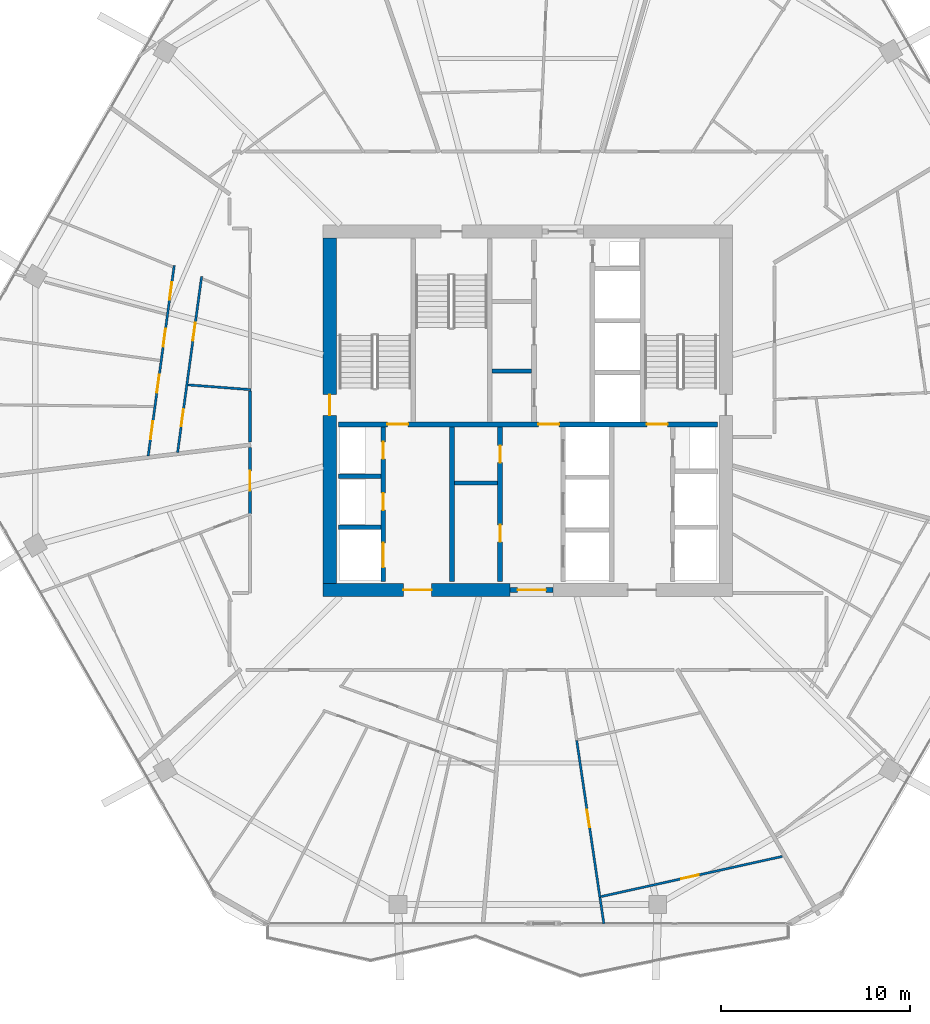
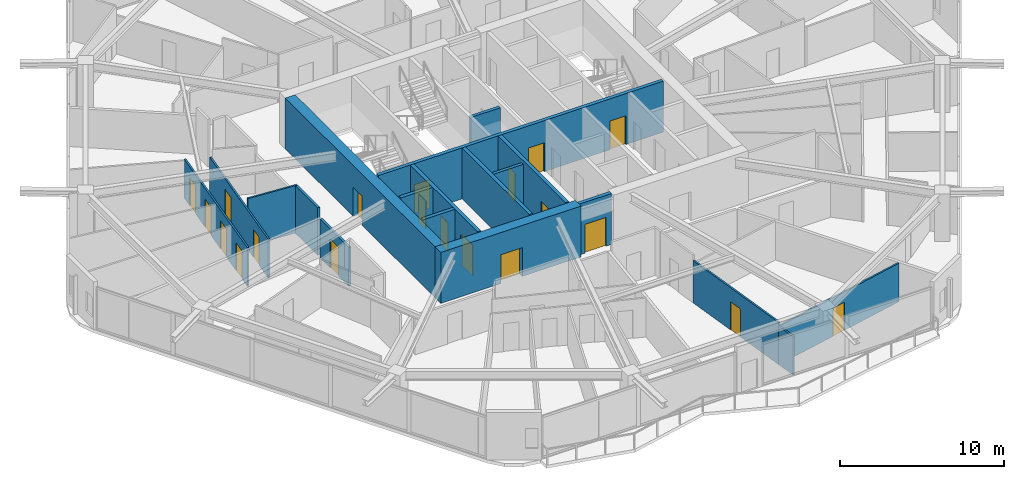
# One storey, part 19 of 25: 20 doors, 19 walls, 20 openings.
"""IFC4 building model written with IfcOpenShell, lengths in metres."""

from ifc_helpers import new_model, si_unit, direction, frame, frame_2d, origin, place, context, subcontext, project, spatial, rectangle, extrude, material, layer, layer_set, type_object, element, fill, save


model = new_model("IFC4")

# Units and contexts
model_context = context("Model", 3, precision=1e-05, world=origin(), true_north=direction((0.0, 1.0)))
body_context = subcontext(model_context, "Body", "Model", "MODEL_VIEW")
ifc_project = project(units=[si_unit("LENGTHUNIT", "METRE"), si_unit("AREAUNIT", "SQUARE_METRE"), si_unit("VOLUMEUNIT", "CUBIC_METRE"), si_unit("PLANEANGLEUNIT", "RADIAN"), si_unit("MASSUNIT", "GRAM", prefix="KILO")], contexts=[model_context])

# Site, building, storey
site_placement = place(None, origin())
site = spatial("IfcSite", under=ifc_project, at=site_placement, CompositionType="ELEMENT")
building_placement = place(site_placement, origin())
building = spatial("IfcBuilding", under=site, at=building_placement, Name="Zuhravey Tower", CompositionType="ELEMENT")
storey_placement = place(building_placement, frame((0.0, 0.0, 196.0)))
storey = spatial("IfcBuildingStorey", under=building, at=storey_placement, Name="L49", CompositionType="ELEMENT", Elevation=196.0)

# Wall, opening, door
ifc_material_1 = material(Name="Concrete C60/75", Category="concrete")
ifc_layer_1 = layer(ifc_material_1, 0.699951171875)
ifc_layer_set_1 = layer_set([ifc_layer_1], Name="Concrete C60/75")
wall_type_1 = type_object("IfcWallType", Name="Core Shear Wall 700", PredefinedType="SHEAR", material=ifc_layer_set_1)
wall_1_placement = place(storey_placement, frame((25.14990234375, 22.5, 0.0), z_axis=(0.0, 0.0, 1.0), x_axis=(1.0, 0.0, 0.0)))
wall_1 = element("IfcWall", 1, at=wall_1_placement, inside=storey, type_object=wall_type_1, Name="L49 South-West Core Shear Wall CW70", PredefinedType="SHEAR", context=body_context, shape_type="SweptSolid", body=[
    extrude(rectangle(XDim=9.900146484375, YDim=0.699951171875, at=frame_2d((4.9501953125, 0.0))), origin(), (0.0, 0.0, 1.0), 3.800048828125),
])
opening_1_placement = place(wall_1_placement, frame((4.25, 0.0, 0.0)))
opening_1 = element("IfcOpeningElement", 2, at=opening_1_placement, cuts=wall_1, Name="Opening FFD1", PredefinedType="OPENING", context=body_context, shape_type="SweptSolid", body=[
    extrude(rectangle(XDim=1.5, YDim=2.14990234375, at=frame_2d((0.75, 1.074951171875))), frame((0.0, 0.362060546875, 0.0), z_axis=(0.0, -1.0, 0.0), x_axis=(1.0, 0.0, 0.0)), (0.0, 0.0, 1.0), 0.723876953125),
])
ifc_material_2 = material(Name="Galvanised fire-rated steel leaf", Category="steel")
door_type_1 = type_object("IfcDoorType", Name="Firefighting Lobby Double Door 1500x2150", OperationType="DOUBLE_DOOR_SINGLE_SWING", PredefinedType="DOOR", material=ifc_material_2)
door_1_placement = place(opening_1_placement, origin())
door_1 = element("IfcDoor", 3, at=door_1_placement, inside=storey, type_object=door_type_1, Name="L49 Firefighting Lobby West Door", OperationType="DOUBLE_DOOR_SINGLE_SWING", OverallHeight=2.14990234375, OverallWidth=1.5, PredefinedType="DOOR", context=body_context, shape_type="SweptSolid", body=[
    extrude(rectangle(XDim=1.5, YDim=2.14990234375, at=frame_2d((0.75, 1.074951171875))), frame((0.0, 0.02490234375, 0.0), z_axis=(0.0, -1.0, 0.0), x_axis=(1.0, 0.0, 0.0)), (0.0, 0.0, 1.0), 0.050048828125),
])
fill(opening_1, door_1)

wall_2_placement = place(storey_placement, frame((25.5, 22.85009765625, 0.0), z_axis=(0.0, 0.0, 1.0), x_axis=(0.0, 1.0, 0.0)))
wall_2 = element("IfcWall", 4, at=wall_2_placement, inside=storey, type_object=wall_type_1, Name="L49 West Core Shear Wall CW70", PredefinedType="SHEAR", context=body_context, shape_type="SweptSolid", body=[
    extrude(rectangle(XDim=18.2998046875, YDim=0.699951171875, at=frame_2d((9.14990234375, 0.0))), origin(), (0.0, 0.0, 1.0), 3.800048828125),
])
opening_2_placement = place(wall_2_placement, frame((8.89990234375, 0.0, 0.0)))
opening_2 = element("IfcOpeningElement", 5, at=opening_2_placement, cuts=wall_2, Name="Opening STD1", PredefinedType="OPENING", context=body_context, shape_type="SweptSolid", body=[
    extrude(rectangle(XDim=1.10009765625, YDim=2.14990234375, at=frame_2d((0.550048828125, 1.074951171875))), frame((0.0, 0.362060546875, 0.0), z_axis=(0.0, -1.0, 0.0), x_axis=(1.0, 0.0, 0.0)), (0.0, 0.0, 1.0), 0.723876953125),
])
door_type_2 = type_object("IfcDoorType", Name="Protected Stair Fire Door 1100x2150", OperationType="NOTDEFINED", PredefinedType="USERDEFINED", material=ifc_material_2)
door_2_placement = place(opening_2_placement, frame((1.10009765625, 0.0, 0.0), z_axis=(0.0, 0.0, 1.0), x_axis=(-1.0, 0.0, 0.0)))
door_2 = element("IfcDoor", 6, at=door_2_placement, inside=storey, type_object=door_type_2, Name="L49 Stair ST1 Door", ObjectType="EXITDOOR", OperationType="SINGLE_SWING_RIGHT", OverallHeight=2.14990234375, OverallWidth=1.10009765625, PredefinedType="USERDEFINED", context=body_context, shape_type="SweptSolid", body=[
    extrude(rectangle(XDim=1.10009765625, YDim=2.14990234375, at=frame_2d((0.550048828125, 1.074951171875))), frame((0.0, 0.02490234375, 0.0), z_axis=(0.0, -1.0, 0.0), x_axis=(1.0, 0.0, 0.0)), (0.0, 0.0, 1.0), 0.050048828125),
])
fill(opening_2, door_2)

ifc_material_3 = material(Name="Gypsum fire-rated stud partition")
ifc_layer_2 = layer(ifc_material_3, 0.159912109375)
ifc_layer_set_2 = layer_set([ifc_layer_2], Name="Gypsum fire-rated stud partition")
wall_type_2 = type_object("IfcWallType", Name="Corridor Fire Partition 160", PredefinedType="PARTITIONING", material=ifc_layer_set_2)
wall_3_placement = place(storey_placement, frame((21.27001953125, 30.04052734375, 0.0), z_axis=(0.0, 0.0, 1.0), x_axis=(0.0, -1.0, 0.0)))
wall_3 = element("IfcWall", 7, at=wall_3_placement, inside=storey, type_object=wall_type_2, Name="L49 IW16 Partition 039", PredefinedType="PARTITIONING", context=body_context, shape_type="SweptSolid", body=[
    extrude(rectangle(XDim=3.503173828125, YDim=0.159912109375, at=frame_2d((1.75146484375, 0.0))), origin(), (0.0, 0.0, 1.0), 2.89990234375),
])
opening_3_placement = place(wall_3_placement, frame((1.2265625, 0.0, 0.0)))
opening_3 = element("IfcOpeningElement", 8, at=opening_3_placement, cuts=wall_3, Name="Opening APD1", PredefinedType="OPENING", context=body_context, shape_type="SweptSolid", body=[
    extrude(rectangle(XDim=1.050048828125, YDim=2.14990234375, at=frame_2d((0.52490234375, 1.074951171875))), frame((0.0, 0.092041015625, 0.0), z_axis=(0.0, -1.0, 0.0), x_axis=(1.0, 0.0, 0.0)), (0.0, 0.0, 1.0), 0.183837890625),
])
ifc_material_4 = material(Name="Solid-core oak fire-rated leaf")
door_type_3 = type_object("IfcDoorType", Name="Apartment Entrance Fire Door 1050x2150", OperationType="NOTDEFINED", PredefinedType="DOOR", material=ifc_material_4)
door_3_placement = place(opening_3_placement, frame((1.050048828125, 0.0, 0.0), z_axis=(0.0, 0.0, 1.0), x_axis=(-1.0, 0.0, 0.0)))
door_3 = element("IfcDoor", 9, at=door_3_placement, inside=storey, type_object=door_type_3, Name="L49 Door 039.1", OperationType="SINGLE_SWING_RIGHT", OverallHeight=2.14990234375, OverallWidth=1.050048828125, PredefinedType="DOOR", context=body_context, shape_type="SweptSolid", body=[
    extrude(rectangle(XDim=1.050048828125, YDim=2.14990234375, at=frame_2d((0.52490234375, 1.074951171875))), frame((0.0, 0.02490234375, 0.0), z_axis=(0.0, -1.0, 0.0), x_axis=(1.0, 0.0, 0.0)), (0.0, 0.0, 1.0), 0.050048828125),
])
fill(opening_3, door_3)

# Wall
wall_4_placement = place(storey_placement, frame((21.27001953125, 33.052978515625, 0.0), z_axis=(0.0, 0.0, 1.0), x_axis=(0.0, -1.0, 0.0)))
element("IfcWall", 10, at=wall_4_placement, inside=storey, type_object=wall_type_2, Name="L49 IW16 Partition 128", PredefinedType="PARTITIONING", context=body_context, shape_type="SweptSolid", body=[
    extrude(rectangle(XDim=2.711181640625, YDim=0.159912109375, at=frame_2d((1.35546875, 0.0))), origin(), (0.0, 0.0, 1.0), 3.550048828125),
])

# Wall, opening, door
ifc_material_5 = material(Name="Concrete C50/60", Category="concrete")
ifc_layer_3 = layer(ifc_material_5, 0.25)
ifc_layer_set_3 = layer_set([ifc_layer_3], Name="Concrete C50/60")
wall_type_3 = type_object("IfcWallType", Name="Firefighting Shaft & Stair Wall 250", PredefinedType="SOLIDWALL", material=ifc_layer_set_3)
wall_5_placement = place(storey_placement, frame((35.06005859375, 22.5, 0.0), z_axis=(0.0, 0.0, 1.0), x_axis=(1.0, 0.0, 0.0)))
wall_5 = element("IfcWall", 11, at=wall_5_placement, inside=storey, type_object=wall_type_3, Name="L49 FW25 Shaft Wall 001", PredefinedType="SOLIDWALL", context=body_context, shape_type="SweptSolid", body=[
    extrude(rectangle(XDim=2.280029296875, YDim=0.25, at=frame_2d((1.14013671875, 0.0))), origin(), (0.0, 0.0, 1.0), 3.800048828125),
])
opening_4_placement = place(wall_5_placement, frame((0.389892578125, 0.0, 0.0)))
opening_4 = element("IfcOpeningElement", 12, at=opening_4_placement, cuts=wall_5, Name="Opening FFD1", PredefinedType="OPENING", context=body_context, shape_type="SweptSolid", body=[
    extrude(rectangle(XDim=1.5, YDim=2.14990234375, at=frame_2d((0.75, 1.074951171875))), frame((0.0, 0.136962890625, 0.0), z_axis=(0.0, -1.0, 0.0), x_axis=(1.0, 0.0, 0.0)), (0.0, 0.0, 1.0), 0.27392578125),
])
door_4_placement = place(opening_4_placement, frame((1.5, 0.0, 0.0), z_axis=(0.0, 0.0, 1.0), x_axis=(-1.0, 0.0, 0.0)))
door_4 = element("IfcDoor", 13, at=door_4_placement, inside=storey, type_object=door_type_1, Name="L49 South Lift Lobby Exit Door", OperationType="DOUBLE_DOOR_SINGLE_SWING", OverallHeight=2.14990234375, OverallWidth=1.5, PredefinedType="DOOR", context=body_context, shape_type="SweptSolid", body=[
    extrude(rectangle(XDim=1.5, YDim=2.14990234375, at=frame_2d((0.75, 1.074951171875))), frame((0.0, 0.02490234375, 0.0), z_axis=(0.0, -1.0, 0.0), x_axis=(1.0, 0.0, 0.0)), (0.0, 0.0, 1.0), 0.050048828125),
])
fill(opening_4, door_4)

# Wall, openings, doors
wall_6_placement = place(storey_placement, frame((25.949951171875, 31.27490234375, 0.0), z_axis=(0.0, 0.0, 1.0), x_axis=(1.0, 0.0, 0.0)))
wall_6 = element("IfcWall", 14, at=wall_6_placement, inside=storey, type_object=wall_type_3, Name="L49 FW25 Shaft Wall 003", PredefinedType="SOLIDWALL", context=body_context, shape_type="SweptSolid", body=[
    extrude(rectangle(XDim=20.10009765625, YDim=0.25, at=frame_2d((10.050048828125, 0.0))), origin(), (0.0, 0.0, 1.0), 3.800048828125),
])
opening_5_placement = place(wall_6_placement, frame((2.60009765625, 0.0, 0.0)))
opening_5 = element("IfcOpeningElement", 15, at=opening_5_placement, cuts=wall_6, Name="Opening STD1", PredefinedType="OPENING", context=body_context, shape_type="SweptSolid", body=[
    extrude(rectangle(XDim=1.10009765625, YDim=2.14990234375, at=frame_2d((0.550048828125, 1.074951171875))), frame((0.0, 0.136962890625, 0.0), z_axis=(0.0, -1.0, 0.0), x_axis=(1.0, 0.0, 0.0)), (0.0, 0.0, 1.0), 0.27392578125),
])
opening_6_placement = place(wall_6_placement, frame((10.60009765625, 0.0, 0.0)))
opening_6 = element("IfcOpeningElement", 16, at=opening_6_placement, cuts=wall_6, Name="Opening STD1", PredefinedType="OPENING", context=body_context, shape_type="SweptSolid", body=[
    extrude(rectangle(XDim=1.10009765625, YDim=2.14990234375, at=frame_2d((0.550048828125, 1.074951171875))), frame((0.0, 0.136962890625, 0.0), z_axis=(0.0, -1.0, 0.0), x_axis=(1.0, 0.0, 0.0)), (0.0, 0.0, 1.0), 0.27392578125),
])
opening_7_placement = place(wall_6_placement, frame((16.35009765625, 0.0, 0.0)))
opening_7 = element("IfcOpeningElement", 17, at=opening_7_placement, cuts=wall_6, Name="Opening STD1", PredefinedType="OPENING", context=body_context, shape_type="SweptSolid", body=[
    extrude(rectangle(XDim=1.10009765625, YDim=2.14990234375, at=frame_2d((0.550048828125, 1.074951171875))), frame((0.0, 0.136962890625, 0.0), z_axis=(0.0, -1.0, 0.0), x_axis=(1.0, 0.0, 0.0)), (0.0, 0.0, 1.0), 0.27392578125),
])
door_5_placement = place(opening_5_placement, origin())
door_5 = element("IfcDoor", 18, at=door_5_placement, inside=storey, type_object=door_type_2, Name="L49 FFL-W to ST1 Door", ObjectType="EXITDOOR", OperationType="SINGLE_SWING_LEFT", OverallHeight=2.14990234375, OverallWidth=1.10009765625, PredefinedType="USERDEFINED", context=body_context, shape_type="SweptSolid", body=[
    extrude(rectangle(XDim=1.10009765625, YDim=2.14990234375, at=frame_2d((0.550048828125, 1.074951171875))), frame((0.0, 0.02490234375, 0.0), z_axis=(0.0, -1.0, 0.0), x_axis=(1.0, 0.0, 0.0)), (0.0, 0.0, 1.0), 0.050048828125),
])
fill(opening_5, door_5)
door_6_placement = place(opening_6_placement, origin())
door_6 = element("IfcDoor", 19, at=door_6_placement, inside=storey, type_object=door_type_2, Name="L49 Core Lobby Link Door", ObjectType="EXITDOOR", OperationType="SINGLE_SWING_RIGHT", OverallHeight=2.14990234375, OverallWidth=1.10009765625, PredefinedType="USERDEFINED", context=body_context, shape_type="SweptSolid", body=[
    extrude(rectangle(XDim=1.10009765625, YDim=2.14990234375, at=frame_2d((0.550048828125, 1.074951171875))), frame((0.0, 0.02490234375, 0.0), z_axis=(0.0, -1.0, 0.0), x_axis=(1.0, 0.0, 0.0)), (0.0, 0.0, 1.0), 0.050048828125),
])
fill(opening_6, door_6)
door_7_placement = place(opening_7_placement, origin())
door_7 = element("IfcDoor", 20, at=door_7_placement, inside=storey, type_object=door_type_2, Name="L49 FFL-E to ST2 Door", ObjectType="EXITDOOR", OperationType="SINGLE_SWING_LEFT", OverallHeight=2.14990234375, OverallWidth=1.10009765625, PredefinedType="USERDEFINED", context=body_context, shape_type="SweptSolid", body=[
    extrude(rectangle(XDim=1.10009765625, YDim=2.14990234375, at=frame_2d((0.550048828125, 1.074951171875))), frame((0.0, 0.02490234375, 0.0), z_axis=(0.0, -1.0, 0.0), x_axis=(1.0, 0.0, 0.0)), (0.0, 0.0, 1.0), 0.050048828125),
])
fill(opening_7, door_7)

# Walls
for number, where, z_axis, x_axis, name in (
    (21, (25.949951171875, 25.824951171875, 0.0), (0.0, 0.0, 1.0), (1.0, 0.0, 0.0), "L49 FW25 Shaft Wall 009"),
    (22, (25.949951171875, 28.52490234375, 0.0), (0.0, 0.0, 1.0), (1.0, 0.0, 0.0), "L49 FW25 Shaft Wall 010"),
):
    element("IfcWall", number, at=place(storey_placement, frame(where, z_axis=z_axis, x_axis=x_axis)), inside=storey, type_object=wall_type_3, Name=name, PredefinedType="SOLIDWALL", context=body_context, shape_type="SweptSolid", body=[
        extrude(rectangle(XDim=2.25, YDim=0.25, at=frame_2d((1.125, 0.0))), origin(), (0.0, 0.0, 1.0), 3.800048828125),
    ])

# Wall, openings, doors
wall_7_placement = place(storey_placement, frame((28.324951171875, 22.949951171875, 0.0), z_axis=(0.0, 0.0, 1.0), x_axis=(0.0, 1.0, 0.0)))
wall_7 = element("IfcWall", 23, at=wall_7_placement, inside=storey, type_object=wall_type_3, Name="L49 FW25 Shaft Wall 011", PredefinedType="SOLIDWALL", context=body_context, shape_type="SweptSolid", body=[
    extrude(rectangle(XDim=8.199951171875, YDim=0.25, at=frame_2d((4.10009765625, 0.0))), origin(), (0.0, 0.0, 1.0), 3.800048828125),
])
opening_8_placement = place(wall_7_placement, frame((0.75, 0.0, 0.0)))
opening_8 = element("IfcOpeningElement", 24, at=opening_8_placement, cuts=wall_7, Name="Opening LD2", PredefinedType="OPENING", context=body_context, shape_type="SweptSolid", body=[
    extrude(rectangle(XDim=1.300048828125, YDim=2.300048828125, at=frame_2d((0.64990234375, 1.14990234375))), frame((0.0, 0.136962890625, 0.0), z_axis=(0.0, -1.0, 0.0), x_axis=(1.0, 0.0, 0.0)), (0.0, 0.0, 1.0), 0.27392578125),
])
opening_9_placement = place(wall_7_placement, frame((3.780029296875, 0.0, 0.0)))
opening_9 = element("IfcOpeningElement", 25, at=opening_9_placement, cuts=wall_7, Name="Opening RSD1", PredefinedType="OPENING", context=body_context, shape_type="SweptSolid", body=[
    extrude(rectangle(XDim=0.89990234375, YDim=2.10009765625, at=frame_2d((0.449951171875, 1.050048828125))), frame((0.0, 0.136962890625, 0.0), z_axis=(0.0, -1.0, 0.0), x_axis=(1.0, 0.0, 0.0)), (0.0, 0.0, 1.0), 0.27392578125),
])
opening_10_placement = place(wall_7_placement, frame((6.5, 0.0, 0.0)))
opening_10 = element("IfcOpeningElement", 26, at=opening_10_placement, cuts=wall_7, Name="Opening RSD1", PredefinedType="OPENING", context=body_context, shape_type="SweptSolid", body=[
    extrude(rectangle(XDim=0.89990234375, YDim=2.10009765625, at=frame_2d((0.449951171875, 1.050048828125))), frame((0.0, 0.136962890625, 0.0), z_axis=(0.0, -1.0, 0.0), x_axis=(1.0, 0.0, 0.0)), (0.0, 0.0, 1.0), 0.27392578125),
])
ifc_material_6 = material(Name="Brushed stainless steel", Category="steel")
door_type_4 = type_object("IfcDoorType", Name="Freight & Stretcher Lift Sliding Door 1300x2300", OperationType="DOUBLE_DOOR_SLIDING", PredefinedType="DOOR", material=ifc_material_6)
door_8_placement = place(opening_8_placement, frame((1.300048828125, 0.0, 0.0), z_axis=(0.0, 0.0, 1.0), x_axis=(-1.0, 0.0, 0.0)))
door_8 = element("IfcDoor", 27, at=door_8_placement, inside=storey, type_object=door_type_4, Name="L49 Lift FF1 Landing Door", OperationType="DOUBLE_DOOR_SLIDING", OverallHeight=2.300048828125, OverallWidth=1.300048828125, PredefinedType="DOOR", context=body_context, shape_type="SweptSolid", body=[
    extrude(rectangle(XDim=1.300048828125, YDim=2.300048828125, at=frame_2d((0.64990234375, 1.14990234375))), frame((0.0, 0.02490234375, 0.0), z_axis=(0.0, -1.0, 0.0), x_axis=(1.0, 0.0, 0.0)), (0.0, 0.0, 1.0), 0.050048828125),
])
fill(opening_8, door_8)
ifc_material_7 = material(Name="Galvanised fire-rated steel access leaf", Category="steel")
door_type_5 = type_object("IfcDoorType", Name="Riser & Shaft Access Fire Door 900x2100", OperationType="NOTDEFINED", PredefinedType="DOOR", material=ifc_material_7)
door_9_placement = place(opening_9_placement, frame((0.89990234375, 0.0, 0.0), z_axis=(0.0, 0.0, 1.0), x_axis=(-1.0, 0.0, 0.0)))
door_9 = element("IfcDoor", 28, at=door_9_placement, inside=storey, type_object=door_type_5, Name="L49 Electrical Riser Door", OperationType="SINGLE_SWING_RIGHT", OverallHeight=2.10009765625, OverallWidth=0.89990234375, PredefinedType="DOOR", context=body_context, shape_type="SweptSolid", body=[
    extrude(rectangle(XDim=0.89990234375, YDim=2.10009765625, at=frame_2d((0.449951171875, 1.050048828125))), frame((0.0, 0.02490234375, 0.0), z_axis=(0.0, -1.0, 0.0), x_axis=(1.0, 0.0, 0.0)), (0.0, 0.0, 1.0), 0.050048828125),
])
fill(opening_9, door_9)
door_10_placement = place(opening_10_placement, frame((0.89990234375, 0.0, 0.0), z_axis=(0.0, 0.0, 1.0), x_axis=(-1.0, 0.0, 0.0)))
door_10 = element("IfcDoor", 29, at=door_10_placement, inside=storey, type_object=door_type_5, Name="L49 Smoke Shaft Access Door", OperationType="SINGLE_SWING_LEFT", OverallHeight=2.10009765625, OverallWidth=0.89990234375, PredefinedType="DOOR", context=body_context, shape_type="SweptSolid", body=[
    extrude(rectangle(XDim=0.89990234375, YDim=2.10009765625, at=frame_2d((0.449951171875, 1.050048828125))), frame((0.0, 0.02490234375, 0.0), z_axis=(0.0, -1.0, 0.0), x_axis=(1.0, 0.0, 0.0)), (0.0, 0.0, 1.0), 0.050048828125),
])
fill(opening_10, door_10)

# Wall
wall_8_placement = place(storey_placement, frame((31.97509765625, 22.949951171875, 0.0), z_axis=(0.0, 0.0, 1.0), x_axis=(0.0, 1.0, 0.0)))
element("IfcWall", 30, at=wall_8_placement, inside=storey, type_object=wall_type_3, Name="L49 FW25 Shaft Wall 012", PredefinedType="SOLIDWALL", context=body_context, shape_type="SweptSolid", body=[
    extrude(rectangle(XDim=8.199951171875, YDim=0.25, at=frame_2d((4.10009765625, 0.0))), origin(), (0.0, 0.0, 1.0), 3.800048828125),
])

# Wall, openings, doors
wall_9_placement = place(storey_placement, frame((34.52490234375, 22.949951171875, 0.0), z_axis=(0.0, 0.0, 1.0), x_axis=(0.0, 1.0, 0.0)))
wall_9 = element("IfcWall", 31, at=wall_9_placement, inside=storey, type_object=wall_type_3, Name="L49 FW25 Shaft Wall 013", PredefinedType="SOLIDWALL", context=body_context, shape_type="SweptSolid", body=[
    extrude(rectangle(XDim=8.199951171875, YDim=0.25, at=frame_2d((4.10009765625, 0.0))), origin(), (0.0, 0.0, 1.0), 3.800048828125),
])
opening_11_placement = place(wall_9_placement, frame((2.10009765625, 0.0, 0.0)))
opening_11 = element("IfcOpeningElement", 32, at=opening_11_placement, cuts=wall_9, Name="Opening RSD1", PredefinedType="OPENING", context=body_context, shape_type="SweptSolid", body=[
    extrude(rectangle(XDim=0.89990234375, YDim=2.10009765625, at=frame_2d((0.449951171875, 1.050048828125))), frame((0.0, 0.136962890625, 0.0), z_axis=(0.0, -1.0, 0.0), x_axis=(1.0, 0.0, 0.0)), (0.0, 0.0, 1.0), 0.27392578125),
])
opening_12_placement = place(wall_9_placement, frame((6.300048828125, 0.0, 0.0)))
opening_12 = element("IfcOpeningElement", 33, at=opening_12_placement, cuts=wall_9, Name="Opening RSD1", PredefinedType="OPENING", context=body_context, shape_type="SweptSolid", body=[
    extrude(rectangle(XDim=0.89990234375, YDim=2.10009765625, at=frame_2d((0.449951171875, 1.050048828125))), frame((0.0, 0.136962890625, 0.0), z_axis=(0.0, -1.0, 0.0), x_axis=(1.0, 0.0, 0.0)), (0.0, 0.0, 1.0), 0.27392578125),
])
door_11_placement = place(opening_11_placement, origin())
door_11 = element("IfcDoor", 34, at=door_11_placement, inside=storey, type_object=door_type_5, Name="L49 Housekeeping Store Door", OperationType="SINGLE_SWING_RIGHT", OverallHeight=2.10009765625, OverallWidth=0.89990234375, PredefinedType="DOOR", context=body_context, shape_type="SweptSolid", body=[
    extrude(rectangle(XDim=0.89990234375, YDim=2.10009765625, at=frame_2d((0.449951171875, 1.050048828125))), frame((0.0, 0.02490234375, 0.0), z_axis=(0.0, -1.0, 0.0), x_axis=(1.0, 0.0, 0.0)), (0.0, 0.0, 1.0), 0.050048828125),
])
fill(opening_11, door_11)
door_12_placement = place(opening_12_placement, origin())
door_12 = element("IfcDoor", 35, at=door_12_placement, inside=storey, type_object=door_type_5, Name="L49 Comms Closet Door", OperationType="SINGLE_SWING_LEFT", OverallHeight=2.10009765625, OverallWidth=0.89990234375, PredefinedType="DOOR", context=body_context, shape_type="SweptSolid", body=[
    extrude(rectangle(XDim=0.89990234375, YDim=2.10009765625, at=frame_2d((0.449951171875, 1.050048828125))), frame((0.0, 0.02490234375, 0.0), z_axis=(0.0, -1.0, 0.0), x_axis=(1.0, 0.0, 0.0)), (0.0, 0.0, 1.0), 0.050048828125),
])
fill(opening_12, door_12)

# Walls
ifc_material_8 = material(Name="Gypsum acoustic stud assembly")
ifc_layer_4 = layer(ifc_material_8, 0.219970703125)
ifc_layer_set_4 = layer_set([ifc_layer_4], Name="Gypsum acoustic stud assembly")
wall_type_4 = type_object("IfcWallType", Name="School Acoustic Compartment Wall 220", PredefinedType="PARTITIONING", material=ifc_layer_set_4)
wall_10_placement = place(storey_placement, frame((34.10791015625, 34.10009765625, 0.0), z_axis=(0.0, 0.0, 1.0), x_axis=(1.0, 0.0, 0.0)))
element("IfcWall", 36, at=wall_10_placement, inside=storey, type_object=wall_type_4, Name="L49 IW22 Partition 057", PredefinedType="PARTITIONING", context=body_context, shape_type="SweptSolid", body=[
    extrude(rectangle(XDim=2.083984375, YDim=0.219970703125, at=frame_2d((1.0419921875, 0.0))), origin(), (0.0, 0.0, 1.0), 3.550048828125),
])
wall_11_placement = place(storey_placement, frame((32.10791015625, 28.175048828125, 0.0), z_axis=(0.0, 0.0, 1.0), x_axis=(1.0, 0.0, 0.0)))
element("IfcWall", 37, at=wall_11_placement, inside=storey, type_object=wall_type_4, Name="L49 IW22 Partition 062", PredefinedType="PARTITIONING", context=body_context, shape_type="SweptSolid", body=[
    extrude(rectangle(XDim=2.2841796875, YDim=0.219970703125, at=frame_2d((1.14208984375, 0.0))), origin(), (0.0, 0.0, 1.0), 3.550048828125),
])

# Wall, openings, doors
ifc_material_9 = material(Name="Gypsum metal-stud partition")
ifc_layer_5 = layer(ifc_material_9, 0.1201171875)
ifc_layer_set_5 = layer_set([ifc_layer_5], Name="Gypsum metal-stud partition")
wall_type_5 = type_object("IfcWallType", Name="Unit Internal Partition 120", PredefinedType="PARTITIONING", material=ifc_layer_set_5)
wall_12_placement = place(storey_placement, frame((18.706298828125, 39.115966796875, 0.0), z_axis=(0.0, 0.0, 1.0), x_axis=(-0.13535494672, -0.990797173188, 0.0)))
wall_12 = element("IfcWall", 38, at=wall_12_placement, inside=storey, type_object=wall_type_5, Name="L49 IW12 Partition 033", PredefinedType="PARTITIONING", context=body_context, shape_type="SweptSolid", body=[
    extrude(rectangle(XDim=9.4189453125, YDim=0.1201171875, at=frame_2d((4.70947265625, 0.0))), origin(), (0.0, 0.0, 1.0), 2.89990234375),
])
opening_13_placement = place(wall_12_placement, frame((2.47314453125, 0.0, 0.0)))
opening_13 = element("IfcOpeningElement", 39, at=opening_13_placement, cuts=wall_12, Name="Opening IND1", PredefinedType="OPENING", context=body_context, shape_type="SweptSolid", body=[
    extrude(rectangle(XDim=0.949951171875, YDim=2.10009765625, at=frame_2d((0.47509765625, 1.050048828125))), frame((0.0, 0.072021484375, 0.0), z_axis=(0.0, -1.0, 0.0), x_axis=(1.0, 0.0, 0.0)), (0.0, 0.0, 1.0), 0.14404296875),
])
opening_14_placement = place(wall_12_placement, frame((7.1044921875, 0.0, 0.0)))
opening_14 = element("IfcOpeningElement", 40, at=opening_14_placement, cuts=wall_12, Name="Opening WCD1", PredefinedType="OPENING", context=body_context, shape_type="SweptSolid", body=[
    extrude(rectangle(XDim=0.89990234375, YDim=2.10009765625, at=frame_2d((0.449951171875, 1.050048828125))), frame((0.0, 0.072021484375, 0.0), z_axis=(0.0, -1.0, 0.0), x_axis=(1.0, 0.0, 0.0)), (0.0, 0.0, 1.0), 0.14404296875),
])
ifc_material_10 = material(Name="Moisture-resistant timber leaf", Category="wood")
door_type_6 = type_object("IfcDoorType", Name="Bathroom & WC Internal Door 900x2100", OperationType="NOTDEFINED", PredefinedType="DOOR", material=ifc_material_10)
door_13_placement = place(opening_14_placement, origin())
door_13 = element("IfcDoor", 41, at=door_13_placement, inside=storey, type_object=door_type_6, Name="Apartment L49-04 Bathroom Door", OperationType="SINGLE_SWING_LEFT", OverallHeight=2.10009765625, OverallWidth=0.89990234375, PredefinedType="DOOR", context=body_context, shape_type="SweptSolid", body=[
    extrude(rectangle(XDim=0.89990234375, YDim=2.10009765625, at=frame_2d((0.449951171875, 1.050048828125))), frame((0.0, 0.02490234375, 0.0), z_axis=(0.0, -1.0, 0.0), x_axis=(1.0, 0.0, 0.0)), (0.0, 0.0, 1.0), 0.050048828125),
])
fill(opening_14, door_13)
ifc_material_11 = material(Name="Painted engineered timber leaf", Category="wood")
door_type_7 = type_object("IfcDoorType", Name="Internal Room & Bedroom Door 950x2100", OperationType="NOTDEFINED", PredefinedType="DOOR", material=ifc_material_11)
door_14_placement = place(opening_13_placement, origin())
door_14 = element("IfcDoor", 42, at=door_14_placement, inside=storey, type_object=door_type_7, Name="Apartment L49-04 Kitchen Door", OperationType="SINGLE_SWING_RIGHT", OverallHeight=2.10009765625, OverallWidth=0.949951171875, PredefinedType="DOOR", context=body_context, shape_type="SweptSolid", body=[
    extrude(rectangle(XDim=0.949951171875, YDim=2.10009765625, at=frame_2d((0.47509765625, 1.050048828125))), frame((0.0, 0.02490234375, 0.0), z_axis=(0.0, -1.0, 0.0), x_axis=(1.0, 0.0, 0.0)), (0.0, 0.0, 1.0), 0.050048828125),
])
fill(opening_13, door_14)

wall_13_placement = place(storey_placement, frame((17.252685546875, 39.705078125, 0.0), z_axis=(0.0, 0.0, 1.0), x_axis=(-0.135355835597, -0.990797051757, 0.0)))
wall_13 = element("IfcWall", 43, at=wall_13_placement, inside=storey, type_object=wall_type_5, Name="L49 IW12 Partition 034", PredefinedType="PARTITIONING", context=body_context, shape_type="SweptSolid", body=[
    extrude(rectangle(XDim=10.192626953125, YDim=0.1201171875, at=frame_2d((5.09619140625, 0.0))), origin(), (0.0, 0.0, 1.0), 2.89990234375),
])
opening_15_placement = place(wall_13_placement, frame((0.894287109375, 0.0, 0.0)))
opening_15 = element("IfcOpeningElement", 44, at=opening_15_placement, cuts=wall_13, Name="Opening IND1", PredefinedType="OPENING", context=body_context, shape_type="SweptSolid", body=[
    extrude(rectangle(XDim=0.949951171875, YDim=2.10009765625, at=frame_2d((0.47509765625, 1.050048828125))), frame((0.0, 0.072021484375, 0.0), z_axis=(0.0, -1.0, 0.0), x_axis=(1.0, 0.0, 0.0)), (0.0, 0.0, 1.0), 0.14404296875),
])
opening_16_placement = place(wall_13_placement, frame((3.392333984375, 0.0, 0.0)))
opening_16 = element("IfcOpeningElement", 45, at=opening_16_placement, cuts=wall_13, Name="Opening IND1", PredefinedType="OPENING", context=body_context, shape_type="SweptSolid", body=[
    extrude(rectangle(XDim=0.949951171875, YDim=2.10009765625, at=frame_2d((0.47509765625, 1.050048828125))), frame((0.0, 0.072021484375, 0.0), z_axis=(0.0, -1.0, 0.0), x_axis=(1.0, 0.0, 0.0)), (0.0, 0.0, 1.0), 0.14404296875),
])
opening_17_placement = place(wall_13_placement, frame((5.8505859375, 0.0, 0.0)))
opening_17 = element("IfcOpeningElement", 46, at=opening_17_placement, cuts=wall_13, Name="Opening IND1", PredefinedType="OPENING", context=body_context, shape_type="SweptSolid", body=[
    extrude(rectangle(XDim=0.949951171875, YDim=2.10009765625, at=frame_2d((0.47509765625, 1.050048828125))), frame((0.0, 0.072021484375, 0.0), z_axis=(0.0, -1.0, 0.0), x_axis=(1.0, 0.0, 0.0)), (0.0, 0.0, 1.0), 0.14404296875),
])
opening_18_placement = place(wall_13_placement, frame((8.348388671875, 0.0, 0.0)))
opening_18 = element("IfcOpeningElement", 47, at=opening_18_placement, cuts=wall_13, Name="Opening IND1", PredefinedType="OPENING", context=body_context, shape_type="SweptSolid", body=[
    extrude(rectangle(XDim=0.949951171875, YDim=2.10009765625, at=frame_2d((0.47509765625, 1.050048828125))), frame((0.0, 0.072021484375, 0.0), z_axis=(0.0, -1.0, 0.0), x_axis=(1.0, 0.0, 0.0)), (0.0, 0.0, 1.0), 0.14404296875),
])
door_15_placement = place(opening_15_placement, frame((0.949951171875, 0.0, 0.0), z_axis=(0.0, 0.0, 1.0), x_axis=(-1.0, 0.0, 0.0)))
door_15 = element("IfcDoor", 48, at=door_15_placement, inside=storey, type_object=door_type_7, Name="Apartment L49-04 Bedroom 1 Door", OperationType="SINGLE_SWING_RIGHT", OverallHeight=2.10009765625, OverallWidth=0.949951171875, PredefinedType="DOOR", context=body_context, shape_type="SweptSolid", body=[
    extrude(rectangle(XDim=0.949951171875, YDim=2.10009765625, at=frame_2d((0.47509765625, 1.050048828125))), frame((0.0, 0.02490234375, 0.0), z_axis=(0.0, -1.0, 0.0), x_axis=(1.0, 0.0, 0.0)), (0.0, 0.0, 1.0), 0.050048828125),
])
fill(opening_15, door_15)
door_16_placement = place(opening_16_placement, frame((0.949951171875, 0.0, 0.0), z_axis=(0.0, 0.0, 1.0), x_axis=(-1.0, 0.0, 0.0)))
door_16 = element("IfcDoor", 49, at=door_16_placement, inside=storey, type_object=door_type_7, Name="Apartment L49-04 Bedroom 2 Door", OperationType="SINGLE_SWING_LEFT", OverallHeight=2.10009765625, OverallWidth=0.949951171875, PredefinedType="DOOR", context=body_context, shape_type="SweptSolid", body=[
    extrude(rectangle(XDim=0.949951171875, YDim=2.10009765625, at=frame_2d((0.47509765625, 1.050048828125))), frame((0.0, 0.02490234375, 0.0), z_axis=(0.0, -1.0, 0.0), x_axis=(1.0, 0.0, 0.0)), (0.0, 0.0, 1.0), 0.050048828125),
])
fill(opening_16, door_16)
door_17_placement = place(opening_17_placement, frame((0.949951171875, 0.0, 0.0), z_axis=(0.0, 0.0, 1.0), x_axis=(-1.0, 0.0, 0.0)))
door_17 = element("IfcDoor", 50, at=door_17_placement, inside=storey, type_object=door_type_7, Name="Apartment L49-04 Bedroom 3 Door", OperationType="SINGLE_SWING_RIGHT", OverallHeight=2.10009765625, OverallWidth=0.949951171875, PredefinedType="DOOR", context=body_context, shape_type="SweptSolid", body=[
    extrude(rectangle(XDim=0.949951171875, YDim=2.10009765625, at=frame_2d((0.47509765625, 1.050048828125))), frame((0.0, 0.02490234375, 0.0), z_axis=(0.0, -1.0, 0.0), x_axis=(1.0, 0.0, 0.0)), (0.0, 0.0, 1.0), 0.050048828125),
])
fill(opening_17, door_17)
door_18_placement = place(opening_18_placement, frame((0.949951171875, 0.0, 0.0), z_axis=(0.0, 0.0, 1.0), x_axis=(-1.0, 0.0, 0.0)))
door_18 = element("IfcDoor", 51, at=door_18_placement, inside=storey, type_object=door_type_7, Name="Apartment L49-04 Bedroom 4 Door", OperationType="SINGLE_SWING_LEFT", OverallHeight=2.10009765625, OverallWidth=0.949951171875, PredefinedType="DOOR", context=body_context, shape_type="SweptSolid", body=[
    extrude(rectangle(XDim=0.949951171875, YDim=2.10009765625, at=frame_2d((0.47509765625, 1.050048828125))), frame((0.0, 0.02490234375, 0.0), z_axis=(0.0, -1.0, 0.0), x_axis=(1.0, 0.0, 0.0)), (0.0, 0.0, 1.0), 0.050048828125),
])
fill(opening_18, door_18)

# Wall, opening, door
wall_14_placement = place(storey_placement, frame((38.587890625, 14.51708984375, 0.0), z_axis=(0.0, 0.0, 1.0), x_axis=(0.146416974586, -0.989222962508, 0.0)))
wall_14 = element("IfcWall", 52, at=wall_14_placement, inside=storey, type_object=wall_type_5, Name="L49 IW12 Partition 044", PredefinedType="PARTITIONING", context=body_context, shape_type="SweptSolid", body=[
    extrude(rectangle(XDim=8.39892578125, YDim=0.1201171875, at=frame_2d((4.199462890625, 0.0))), origin(), (0.0, 0.0, 1.0), 3.14990234375),
])
opening_19_placement = place(wall_14_placement, frame((3.699462890625, 0.0, 0.0)))
opening_19 = element("IfcOpeningElement", 53, at=opening_19_placement, cuts=wall_14, Name="Opening IND1", PredefinedType="OPENING", context=body_context, shape_type="SweptSolid", body=[
    extrude(rectangle(XDim=0.949951171875, YDim=2.10009765625, at=frame_2d((0.47509765625, 1.050048828125))), frame((0.0, 0.072021484375, 0.0), z_axis=(0.0, -1.0, 0.0), x_axis=(1.0, 0.0, 0.0)), (0.0, 0.0, 1.0), 0.14404296875),
])
door_19_placement = place(opening_19_placement, origin())
door_19 = element("IfcDoor", 54, at=door_19_placement, inside=storey, type_object=door_type_7, Name="Apartment L49-07 Home Office Door", OperationType="SINGLE_SWING_LEFT", OverallHeight=2.10009765625, OverallWidth=0.949951171875, PredefinedType="DOOR", context=body_context, shape_type="SweptSolid", body=[
    extrude(rectangle(XDim=0.949951171875, YDim=2.10009765625, at=frame_2d((0.47509765625, 1.050048828125))), frame((0.0, 0.02490234375, 0.0), z_axis=(0.0, -1.0, 0.0), x_axis=(1.0, 0.0, 0.0)), (0.0, 0.0, 1.0), 0.050048828125),
])
fill(opening_19, door_19)

wall_15_placement = place(storey_placement, frame((39.880615234375, 6.248046875, 0.0), z_axis=(0.0, 0.0, 1.0), x_axis=(0.976292102638, 0.216457225167, 0.0)))
wall_15 = element("IfcWall", 55, at=wall_15_placement, inside=storey, type_object=wall_type_5, Name="L49 IW12 Partition 045", PredefinedType="PARTITIONING", context=body_context, shape_type="SweptSolid", body=[
    extrude(rectangle(XDim=9.8330078125, YDim=0.1201171875, at=frame_2d((4.91650390625, 0.0))), origin(), (0.0, 0.0, 1.0), 2.8701171875),
])
opening_20_placement = place(wall_15_placement, frame((4.357421875, 0.0, 0.0)))
opening_20 = element("IfcOpeningElement", 56, at=opening_20_placement, cuts=wall_15, Name="Opening IND1", PredefinedType="OPENING", context=body_context, shape_type="SweptSolid", body=[
    extrude(rectangle(XDim=0.949951171875, YDim=2.10009765625, at=frame_2d((0.47509765625, 1.050048828125))), frame((0.0, 0.072021484375, 0.0), z_axis=(0.0, -1.0, 0.0), x_axis=(1.0, 0.0, 0.0)), (0.0, 0.0, 1.0), 0.14404296875),
])
door_20_placement = place(opening_20_placement, frame((0.949951171875, 0.0, 0.0), z_axis=(0.0, 0.0, 1.0), x_axis=(-1.0, 0.0, 0.0)))
door_20 = element("IfcDoor", 57, at=door_20_placement, inside=storey, type_object=door_type_7, Name="Apartment L49-07 Bedroom 1 Door", OperationType="SINGLE_SWING_RIGHT", OverallHeight=2.10009765625, OverallWidth=0.949951171875, PredefinedType="DOOR", context=body_context, shape_type="SweptSolid", body=[
    extrude(rectangle(XDim=0.949951171875, YDim=2.10009765625, at=frame_2d((0.47509765625, 1.050048828125))), frame((0.0, 0.02490234375, 0.0), z_axis=(0.0, -1.0, 0.0), x_axis=(1.0, 0.0, 0.0)), (0.0, 0.0, 1.0), 0.050048828125),
])
fill(opening_20, door_20)

# Walls
wall_16_placement = place(storey_placement, frame((21.320068359375, 33.117431640625, 0.0), z_axis=(0.0, 0.0, 1.0), x_axis=(-0.997116933527, 0.075880306232, 0.0)))
element("IfcWall", 58, at=wall_16_placement, inside=storey, type_object=wall_type_5, Name="L49 IW12 Partition 083", PredefinedType="PARTITIONING", context=body_context, shape_type="SweptSolid", body=[
    extrude(rectangle(XDim=3.339599609375, YDim=0.1201171875, at=frame_2d((1.669921875, 0.0))), origin(), (0.0, 0.0, 1.0), 3.550048828125),
])
wall_17_placement = place(storey_placement, frame((39.817626953125, 6.208740234375, 0.0), z_axis=(0.0, 0.0, 1.0), x_axis=(0.146454662443, -0.989217383515, 0.0)))
element("IfcWall", 59, at=wall_17_placement, inside=storey, type_object=wall_type_5, Name="L49 IW12 Partition 103", PredefinedType="PARTITIONING", context=body_context, shape_type="SweptSolid", body=[
    extrude(rectangle(XDim=1.411865234375, YDim=0.1201171875, at=frame_2d((0.7060546875, 0.0))), origin(), (0.0, 0.0, 1.0), 2.8701171875),
])

save(model, "model.ifc")
